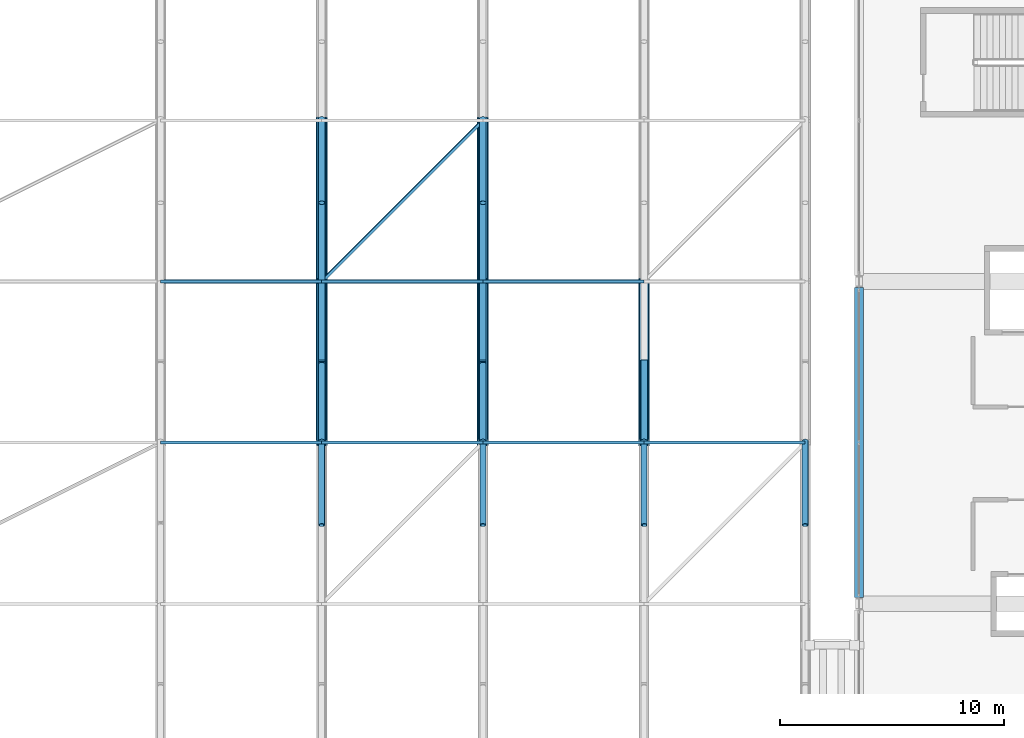
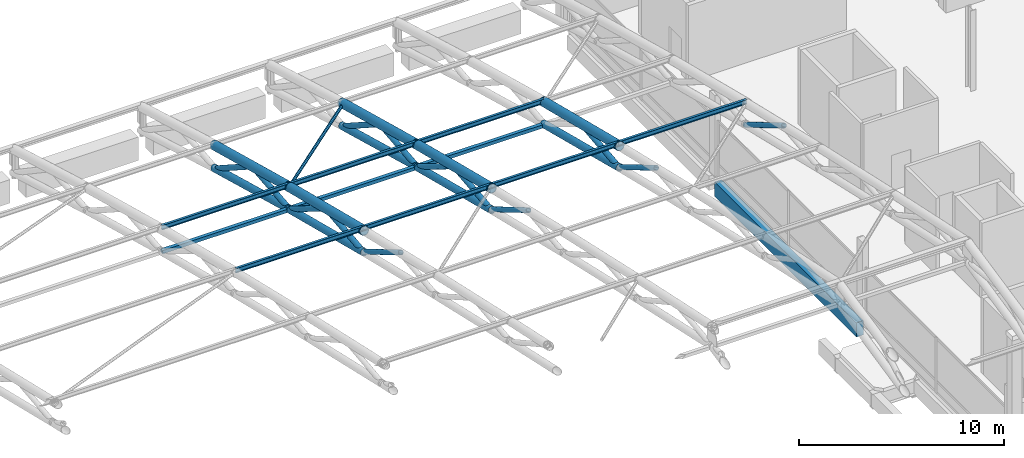
# One storey, part 56 of 193: 34 members, 1 beam.
"""IFC4 building model written with IfcOpenShell, lengths in metres."""

from ifc_helpers import new_model, si_unit, direction, frame, origin, origin_2d, place, context, subcontext, project, spatial, rectangle, hollow_rectangle, hollow_circle, i_section, extrude, material, material_profile, profile_set, type_object, element, save


model = new_model("IFC4")

# Units and contexts
model_context = context("Model", 3, precision=1e-05, world=origin(), true_north=direction((0.0, 1.0)))
body_context = subcontext(model_context, "Body", "Model", "MODEL_VIEW")
ifc_project = project(units=[si_unit("LENGTHUNIT", "METRE"), si_unit("AREAUNIT", "SQUARE_METRE"), si_unit("VOLUMEUNIT", "CUBIC_METRE"), si_unit("PLANEANGLEUNIT", "RADIAN"), si_unit("MASSUNIT", "GRAM", prefix="KILO")], contexts=[model_context])

# Site, building, storey
site_placement = place(None, origin())
site = spatial("IfcSite", under=ifc_project, at=site_placement, CompositionType="ELEMENT")
building_placement = place(site_placement, origin())
building = spatial("IfcBuilding", under=site, at=building_placement, Name="Cendralis Lancet Convention Centre", CompositionType="ELEMENT")
storey_placement = place(building_placement, frame((0.0, 0.0, 10.199951171875)))
storey = spatial("IfcBuildingStorey", under=building, at=storey_placement, Name="L02", CompositionType="ELEMENT", Elevation=10.199951171875)

# Members
ifc_material_1 = material(Name="Steel S355", Category="steel")
ifc_material_profile_1 = material_profile(ifc_material_1, hollow_circle(Radius=0.084228515625, WallThickness=0.008056640625, at=origin_2d()), Name="CHS 168.3x8.0")
ifc_profile_set_1 = profile_set([ifc_material_profile_1], Name="Steel S355")
member_type_1 = type_object("IfcMemberType", Name="STR-BR-RB01", PredefinedType="BRACE", material=ifc_profile_set_1)
member_1_placement = place(storey_placement, frame((100.800048828125, 122.39990234375, 7.576416015625), z_axis=(0.694854047824, 0.694877609387, -0.185264568107), x_axis=(-0.7071187694, 0.70709479277, 0.0)))
element("IfcMember", 1, at=member_1_placement, inside=storey, type_object=member_type_1, Name="Roof Diaphragm Brace RB01 V1-11-10A", PredefinedType="BRACE", context=body_context, shape_type="SweptSolid", body=[
    extrude(hollow_circle(Radius=0.084228515625, WallThickness=0.008056640625, at=origin_2d()), origin(), (0.0, 0.0, 1.0), 10.36181640625),
])
ifc_material_profile_2 = material_profile(ifc_material_1, hollow_rectangle(XDim=0.199951171875, YDim=0.199951171875, WallThickness=0.010009765625, at=origin_2d()), Name="SHS 200x200x10.0")
ifc_profile_set_2 = profile_set([ifc_material_profile_2], Name="Steel S355")
member_type_2 = type_object("IfcMemberType", Name="STR-BR-ST01", PredefinedType="STRUT", material=ifc_profile_set_2)
for number, where, z_axis, x_axis, name in (
    (2, (93.60009765625, 122.39990234375, 6.2509765625), (1.0, 0.0, 0.0), (0.0, 1.0, 0.0), "Arch Tie Strut ST01 V1-10-10"),
    (3, (100.800048828125, 122.39990234375, 6.2509765625), (1.0, 0.0, 0.0), (0.0, 1.0, 0.0), "Arch Tie Strut ST01 V1-11-10"),
    (4, (108.0, 122.39990234375, 6.2509765625), (1.0, 0.0, 0.0), (0.0, 1.0, 0.0), "Arch Tie Strut ST01 V1-12-10"),
):
    element("IfcMember", number, at=place(storey_placement, frame(where, z_axis=z_axis, x_axis=x_axis)), inside=storey, type_object=member_type_2, Name=name, PredefinedType="STRUT", context=body_context, shape_type="SweptSolid", body=[
        extrude(hollow_rectangle(XDim=0.199951171875, YDim=0.199951171875, WallThickness=0.010009765625, at=origin_2d()), origin(), (0.0, 0.0, 1.0), 7.199951171875),
    ])
ifc_material_profile_3 = material_profile(ifc_material_1, i_section(OverallWidth=0.135009765625, OverallDepth=0.27001953125, WebThickness=0.006591796875, FlangeThickness=0.01025390625, FilletRadius=0.014892578125, at=origin_2d()), Name="IPE 270")
ifc_profile_set_3 = profile_set([ifc_material_profile_3], Name="Steel S355")
member_type_3 = type_object("IfcMemberType", Name="STR-PR-PR01", PredefinedType="PURLIN", material=ifc_profile_set_3)
for number, where, z_axis, x_axis, name in (
    (5, (93.60009765625, 115.199951171875, 9.484375), (1.0, 0.0, 0.0), (0.0, 1.0, 0.0), "Vault Roof Purlin PR01 V1-10-09"),
    (6, (93.60009765625, 122.39990234375, 7.69140625), (1.0, 0.0, 0.0), (0.0, 1.0, 0.0), "Vault Roof Purlin PR01 V1-10-10"),
    (7, (100.800048828125, 115.199951171875, 9.484375), (1.0, 0.0, 0.0), (0.0, 1.0, 0.0), "Vault Roof Purlin PR01 V1-11-09"),
    (8, (100.800048828125, 122.39990234375, 7.69140625), (1.0, 0.0, 0.0), (0.0, 1.0, 0.0), "Vault Roof Purlin PR01 V1-11-10"),
    (9, (108.0, 115.199951171875, 9.484375), (1.0, 0.0, 0.0), (0.0, 1.0, 0.0), "Vault Roof Purlin PR01 V1-12-09"),
    (10, (108.0, 122.39990234375, 7.69140625), (1.0, 0.0, 0.0), (0.0, 1.0, 0.0), "Vault Roof Purlin PR01 V1-12-10"),
    (11, (115.199951171875, 115.199951171875, 9.484375), (1.0, 0.0, 0.0), (0.0, 1.0, 0.0), "Vault Roof Purlin PR01 V1-13-09"),
):
    element("IfcMember", number, at=place(storey_placement, frame(where, z_axis=z_axis, x_axis=x_axis)), inside=storey, type_object=member_type_3, Name=name, PredefinedType="PURLIN", context=body_context, shape_type="SweptSolid", body=[
        extrude(i_section(OverallWidth=0.135009765625, OverallDepth=0.27001953125, WebThickness=0.006591796875, FlangeThickness=0.01025390625, FilletRadius=0.014892578125, at=origin_2d()), origin(), (0.0, 0.0, 1.0), 7.199951171875),
    ])

# Beam
ifc_material_2 = material(Name="Concrete G40 (C40/50)", Category="concrete")
ifc_material_profile_4 = material_profile(ifc_material_2, rectangle(XDim=0.39990234375, YDim=0.85009765625, at=origin_2d()), Name="RCB 400x850")
ifc_profile_set_4 = profile_set([ifc_material_profile_4], Name="Concrete G40 (C40/50)")
beam_type = type_object("IfcBeamType", Name="STR-SP-SP02", PredefinedType="SPANDREL", material=ifc_profile_set_4)
beam_placement = place(storey_placement, frame((124.800048828125, 108.27490234375, -0.724853515625), z_axis=(0.0, 1.0, 0.0), x_axis=(-1.0, 0.0, 0.0)))
element("IfcBeam", 12, at=beam_placement, inside=storey, type_object=beam_type, Name="L02 Beam SP02 #1722", PredefinedType="SPANDREL", context=body_context, shape_type="SweptSolid", body=[
    extrude(rectangle(XDim=0.39990234375, YDim=0.85009765625, at=origin_2d()), origin(), (0.0, 0.0, 1.0), 13.85009765625),
])

# Members
ifc_material_profile_5 = material_profile(ifc_material_1, hollow_circle(Radius=0.203125, WallThickness=0.01611328125, at=origin_2d()), Name="CHS 406.4x16.0")
ifc_profile_set_5 = profile_set([ifc_material_profile_5], Name="Steel S355")
member_type_4 = type_object("IfcMemberType", Name="STR-TR-BC01-INT", PredefinedType="CHORD", material=ifc_profile_set_5)
member_2_placement = place(storey_placement, frame((100.800048828125, 115.083740234375, 8.111083984375), z_axis=(0.0, 0.969168531094, -0.246398779092), x_axis=(-1.0, 0.0, 0.0)))
element("IfcMember", 13, at=member_2_placement, inside=storey, type_object=member_type_4, Name="ROOF TRUSS AT-V1-12 Bottom Chord 09", PredefinedType="CHORD", context=body_context, shape_type="SweptSolid", body=[
    extrude(hollow_circle(Radius=0.203125, WallThickness=0.01611328125, at=origin_2d()), origin(), (0.0, 0.0, 1.0), 7.6689453125),
])
member_3_placement = place(storey_placement, frame((100.800048828125, 122.2841796875, 6.282470703125), z_axis=(0.0, 0.964987331955, -0.262296490953), x_axis=(-1.0, 0.0, 0.0)))
element("IfcMember", 14, at=member_3_placement, inside=storey, type_object=member_type_4, Name="ROOF TRUSS AT-V1-12 Bottom Chord 10", PredefinedType="CHORD", context=body_context, shape_type="SweptSolid", body=[
    extrude(hollow_circle(Radius=0.203125, WallThickness=0.01611328125, at=origin_2d()), origin(), (0.0, 0.0, 1.0), 7.701171875),
])
member_4_placement = place(storey_placement, frame((108.0, 115.083740234375, 8.111083984375), z_axis=(0.0, 0.969168531094, -0.246398779092), x_axis=(-1.0, 0.0, 0.0)))
element("IfcMember", 15, at=member_4_placement, inside=storey, type_object=member_type_4, Name="ROOF TRUSS AT-V1-13 Bottom Chord 09", PredefinedType="CHORD", context=body_context, shape_type="SweptSolid", body=[
    extrude(hollow_circle(Radius=0.203125, WallThickness=0.01611328125, at=origin_2d()), origin(), (0.0, 0.0, 1.0), 7.6689453125),
])
member_5_placement = place(storey_placement, frame((108.0, 122.2841796875, 6.282470703125), z_axis=(0.0, 0.964987331955, -0.262296490953), x_axis=(-1.0, 0.0, 0.0)))
element("IfcMember", 16, at=member_5_placement, inside=storey, type_object=member_type_4, Name="ROOF TRUSS AT-V1-13 Bottom Chord 10", PredefinedType="CHORD", context=body_context, shape_type="SweptSolid", body=[
    extrude(hollow_circle(Radius=0.203125, WallThickness=0.01611328125, at=origin_2d()), origin(), (0.0, 0.0, 1.0), 7.701171875),
])
member_6_placement = place(storey_placement, frame((115.199951171875, 115.083740234375, 8.111083984375), z_axis=(0.0, 0.969168531094, -0.246398779092), x_axis=(-1.0, 0.0, 0.0)))
element("IfcMember", 17, at=member_6_placement, inside=storey, type_object=member_type_4, Name="ROOF TRUSS AT-V1-14 Bottom Chord 09", PredefinedType="CHORD", context=body_context, shape_type="SweptSolid", body=[
    extrude(hollow_circle(Radius=0.203125, WallThickness=0.01611328125, at=origin_2d()), origin(), (0.0, 0.0, 1.0), 7.6689453125),
])
ifc_material_profile_6 = material_profile(ifc_material_1, hollow_circle(Radius=0.25390625, WallThickness=0.02001953125, at=origin_2d()), Name="CHS 508.0x20.0")
ifc_profile_set_6 = profile_set([ifc_material_profile_6], Name="Steel S355")
member_type_5 = type_object("IfcMemberType", Name="STR-TR-TC01-INT", PredefinedType="CHORD", material=ifc_profile_set_6)
member_7_placement = place(storey_placement, frame((100.800048828125, 115.08349609375, 9.3984375), z_axis=(0.0, 0.97036146187, -0.241658091769), x_axis=(-1.0, 0.0, 0.0)))
element("IfcMember", 18, at=member_7_placement, inside=storey, type_object=member_type_5, Name="ROOF TRUSS AT-V1-12 Top Chord 09", PredefinedType="CHORD", context=body_context, shape_type="SweptSolid", body=[
    extrude(hollow_circle(Radius=0.25390625, WallThickness=0.02001953125, at=origin_2d()), origin(), (0.0, 0.0, 1.0), 7.659912109375),
])
member_8_placement = place(storey_placement, frame((100.800048828125, 122.2841796875, 7.607177734375), z_axis=(0.0, 0.966245475764, -0.257623136705), x_axis=(-1.0, 0.0, 0.0)))
element("IfcMember", 19, at=member_8_placement, inside=storey, type_object=member_type_5, Name="ROOF TRUSS AT-V1-12 Top Chord 10", PredefinedType="CHORD", context=body_context, shape_type="SweptSolid", body=[
    extrude(hollow_circle(Radius=0.25390625, WallThickness=0.02001953125, at=origin_2d()), origin(), (0.0, 0.0, 1.0), 7.691162109375),
])
member_9_placement = place(storey_placement, frame((108.0, 115.08349609375, 9.3984375), z_axis=(0.0, 0.97036146187, -0.241658091769), x_axis=(-1.0, 0.0, 0.0)))
element("IfcMember", 20, at=member_9_placement, inside=storey, type_object=member_type_5, Name="ROOF TRUSS AT-V1-13 Top Chord 09", PredefinedType="CHORD", context=body_context, shape_type="SweptSolid", body=[
    extrude(hollow_circle(Radius=0.25390625, WallThickness=0.02001953125, at=origin_2d()), origin(), (0.0, 0.0, 1.0), 7.659912109375),
])
member_10_placement = place(storey_placement, frame((108.0, 122.2841796875, 7.607177734375), z_axis=(0.0, 0.966245475764, -0.257623136705), x_axis=(-1.0, 0.0, 0.0)))
element("IfcMember", 21, at=member_10_placement, inside=storey, type_object=member_type_5, Name="ROOF TRUSS AT-V1-13 Top Chord 10", PredefinedType="CHORD", context=body_context, shape_type="SweptSolid", body=[
    extrude(hollow_circle(Radius=0.25390625, WallThickness=0.02001953125, at=origin_2d()), origin(), (0.0, 0.0, 1.0), 7.691162109375),
])
member_11_placement = place(storey_placement, frame((115.199951171875, 115.08349609375, 9.3984375), z_axis=(0.0, 0.97036146187, -0.241658091769), x_axis=(-1.0, 0.0, 0.0)))
element("IfcMember", 22, at=member_11_placement, inside=storey, type_object=member_type_5, Name="ROOF TRUSS AT-V1-14 Top Chord 09", PredefinedType="CHORD", context=body_context, shape_type="SweptSolid", body=[
    extrude(hollow_circle(Radius=0.25390625, WallThickness=0.02001953125, at=origin_2d()), origin(), (0.0, 0.0, 1.0), 7.659912109375),
])
ifc_material_profile_7 = material_profile(ifc_material_1, hollow_circle(Radius=0.149169921875, WallThickness=0.012451171875, at=origin_2d()), Name="CHS 298.5x12.5")
ifc_profile_set_7 = profile_set([ifc_material_profile_7], Name="Steel S355")
member_type_6 = type_object("IfcMemberType", Name="STR-TR-WD01-INT", PredefinedType="BRACE", material=ifc_profile_set_7)
member_12_placement = place(storey_placement, frame((100.800048828125, 115.1005859375, 8.070556640625), z_axis=(0.0, 0.994139687453, 0.108103107402), x_axis=(-1.0, 0.0, 0.0)))
element("IfcMember", 23, at=member_12_placement, inside=storey, type_object=member_type_6, Name="ROOF TRUSS AT-V1-12 Warren Web 09-0", PredefinedType="BRACE", context=body_context, shape_type="SweptSolid", body=[
    extrude(hollow_circle(Radius=0.149169921875, WallThickness=0.012451171875, at=origin_2d()), origin(), (0.0, 0.0, 1.0), 3.8212890625),
])
member_13_placement = place(storey_placement, frame((100.800048828125, 118.71484375, 8.525390625), z_axis=(0.0, 0.850978373815, -0.525200730482), x_axis=(-1.0, 0.0, 0.0)))
element("IfcMember", 24, at=member_13_placement, inside=storey, type_object=member_type_6, Name="ROOF TRUSS AT-V1-12 Warren Web 09-1", PredefinedType="BRACE", context=body_context, shape_type="SweptSolid", body=[
    extrude(hollow_circle(Radius=0.149169921875, WallThickness=0.012451171875, at=origin_2d()), origin(), (0.0, 0.0, 1.0), 4.430419921875),
])
member_14_placement = place(storey_placement, frame((100.800048828125, 122.300537109375, 6.240966796875), z_axis=(0.0, 0.994884749511, 0.101016509493), x_axis=(-1.0, 0.0, 0.0)))
element("IfcMember", 25, at=member_14_placement, inside=storey, type_object=member_type_6, Name="ROOF TRUSS AT-V1-12 Warren Web 10-0", PredefinedType="BRACE", context=body_context, shape_type="SweptSolid", body=[
    extrude(hollow_circle(Radius=0.149169921875, WallThickness=0.012451171875, at=origin_2d()), origin(), (0.0, 0.0, 1.0), 3.818603515625),
])
member_15_placement = place(storey_placement, frame((100.800048828125, 125.916015625, 6.670654296875), z_axis=(0.0, 0.840307049061, -0.542110748186), x_axis=(-1.0, 0.0, 0.0)))
element("IfcMember", 26, at=member_15_placement, inside=storey, type_object=member_type_6, Name="ROOF TRUSS AT-V1-12 Warren Web 10-1", PredefinedType="BRACE", context=body_context, shape_type="SweptSolid", body=[
    extrude(hollow_circle(Radius=0.149169921875, WallThickness=0.012451171875, at=origin_2d()), origin(), (0.0, 0.0, 1.0), 4.484130859375),
])
member_16_placement = place(storey_placement, frame((108.0, 115.1005859375, 8.070556640625), z_axis=(0.0, 0.994139687453, 0.108103107402), x_axis=(-1.0, 0.0, 0.0)))
element("IfcMember", 27, at=member_16_placement, inside=storey, type_object=member_type_6, Name="ROOF TRUSS AT-V1-13 Warren Web 09-0", PredefinedType="BRACE", context=body_context, shape_type="SweptSolid", body=[
    extrude(hollow_circle(Radius=0.149169921875, WallThickness=0.012451171875, at=origin_2d()), origin(), (0.0, 0.0, 1.0), 3.8212890625),
])
member_17_placement = place(storey_placement, frame((108.0, 118.71484375, 8.525390625), z_axis=(0.0, 0.850978373815, -0.525200730482), x_axis=(-1.0, 0.0, 0.0)))
element("IfcMember", 28, at=member_17_placement, inside=storey, type_object=member_type_6, Name="ROOF TRUSS AT-V1-13 Warren Web 09-1", PredefinedType="BRACE", context=body_context, shape_type="SweptSolid", body=[
    extrude(hollow_circle(Radius=0.149169921875, WallThickness=0.012451171875, at=origin_2d()), origin(), (0.0, 0.0, 1.0), 4.430419921875),
])
member_18_placement = place(storey_placement, frame((108.0, 122.300537109375, 6.240966796875), z_axis=(0.0, 0.994884749511, 0.101016509493), x_axis=(-1.0, 0.0, 0.0)))
element("IfcMember", 29, at=member_18_placement, inside=storey, type_object=member_type_6, Name="ROOF TRUSS AT-V1-13 Warren Web 10-0", PredefinedType="BRACE", context=body_context, shape_type="SweptSolid", body=[
    extrude(hollow_circle(Radius=0.149169921875, WallThickness=0.012451171875, at=origin_2d()), origin(), (0.0, 0.0, 1.0), 3.818603515625),
])
member_19_placement = place(storey_placement, frame((108.0, 125.916015625, 6.670654296875), z_axis=(0.0, 0.840307049061, -0.542110748186), x_axis=(-1.0, 0.0, 0.0)))
element("IfcMember", 30, at=member_19_placement, inside=storey, type_object=member_type_6, Name="ROOF TRUSS AT-V1-13 Warren Web 10-1", PredefinedType="BRACE", context=body_context, shape_type="SweptSolid", body=[
    extrude(hollow_circle(Radius=0.149169921875, WallThickness=0.012451171875, at=origin_2d()), origin(), (0.0, 0.0, 1.0), 4.484130859375),
])
member_20_placement = place(storey_placement, frame((115.199951171875, 115.1005859375, 8.070556640625), z_axis=(0.0, 0.994139687453, 0.108103107402), x_axis=(-1.0, 0.0, 0.0)))
element("IfcMember", 31, at=member_20_placement, inside=storey, type_object=member_type_6, Name="ROOF TRUSS AT-V1-14 Warren Web 09-0", PredefinedType="BRACE", context=body_context, shape_type="SweptSolid", body=[
    extrude(hollow_circle(Radius=0.149169921875, WallThickness=0.012451171875, at=origin_2d()), origin(), (0.0, 0.0, 1.0), 3.8212890625),
])
ifc_material_profile_8 = material_profile(ifc_material_1, hollow_circle(Radius=0.136474609375, WallThickness=0.012451171875, at=origin_2d()), Name="CHS 273.0x12.5")
ifc_profile_set_8 = profile_set([ifc_material_profile_8], Name="Steel S355")
member_type_7 = type_object("IfcMemberType", Name="STR-TR-WD01B", PredefinedType="BRACE", material=ifc_profile_set_8)
member_21_placement = place(storey_placement, frame((122.39990234375, 111.513916015625, 10.26416015625), z_axis=(0.0, 0.860451614668, -0.509532156802), x_axis=(-1.0, 0.0, 0.0)))
element("IfcMember", 32, at=member_21_placement, inside=storey, type_object=member_type_7, Name="ROOF TRUSS AT-V1-15 Warren Web 08-1", PredefinedType="BRACE", context=body_context, shape_type="SweptSolid", body=[
    extrude(hollow_circle(Radius=0.136474609375, WallThickness=0.012451171875, at=origin_2d()), origin(), (0.0, 0.0, 1.0), 4.3837890625),
])
ifc_material_profile_9 = material_profile(ifc_material_1, hollow_circle(Radius=0.136474609375, WallThickness=0.012451171875, at=origin_2d()), Name="CHS 273.0x12.5")
ifc_profile_set_9 = profile_set([ifc_material_profile_9], Name="Steel S355")
member_type_8 = type_object("IfcMemberType", Name="STR-TR-WD01B-INT", PredefinedType="BRACE", material=ifc_profile_set_9)
for number, where, z_axis, x_axis, name in (
    (33, (100.800048828125, 111.513916015625, 10.26416015625), (0.0, 0.860451614668, -0.509532156802), (-1.0, 0.0, 0.0), "ROOF TRUSS AT-V1-12 Warren Web 08-1"),
    (34, (108.0, 111.513916015625, 10.26416015625), (0.0, 0.860451614668, -0.509532156802), (-1.0, 0.0, 0.0), "ROOF TRUSS AT-V1-13 Warren Web 08-1"),
    (35, (115.199951171875, 111.513916015625, 10.26416015625), (0.0, 0.860451614668, -0.509532156802), (-1.0, 0.0, 0.0), "ROOF TRUSS AT-V1-14 Warren Web 08-1"),
):
    element("IfcMember", number, at=place(storey_placement, frame(where, z_axis=z_axis, x_axis=x_axis)), inside=storey, type_object=member_type_8, Name=name, PredefinedType="BRACE", context=body_context, shape_type="SweptSolid", body=[
        extrude(hollow_circle(Radius=0.136474609375, WallThickness=0.012451171875, at=origin_2d()), origin(), (0.0, 0.0, 1.0), 4.3837890625),
    ])

save(model, "model.ifc")
